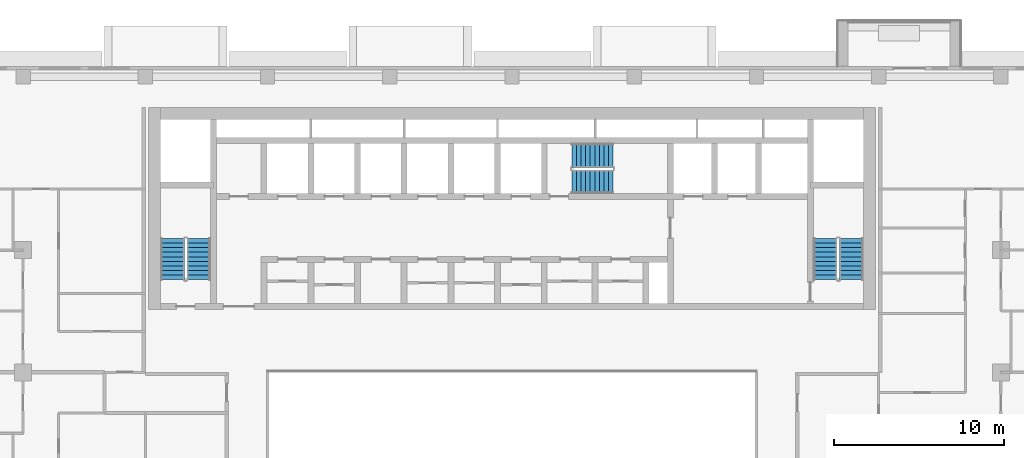
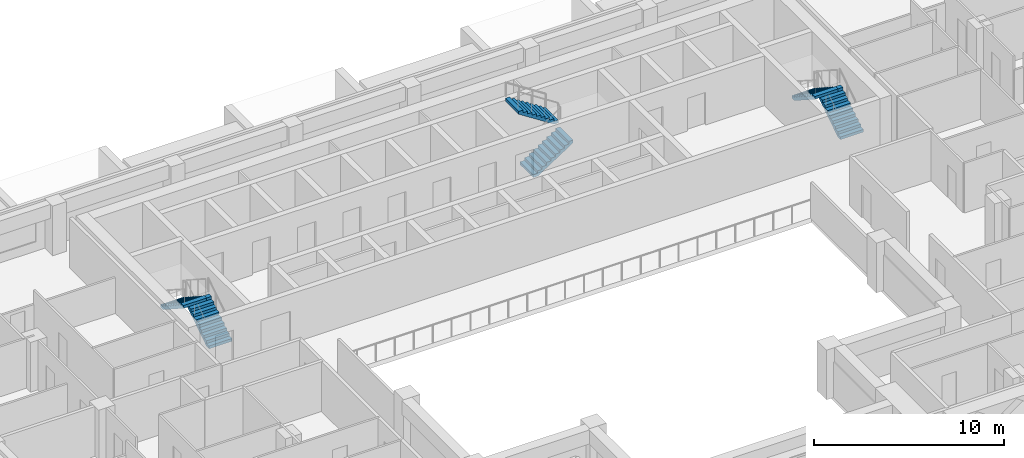
# One storey, part 13 of 20: 6 stair flights, 3 elements without a shape of their own.
"""IFC4 building model written with IfcOpenShell, lengths in metres."""

from ifc_helpers import new_model, si_unit, direction, frame, origin, place, context, subcontext, project, spatial, polyline, outline, extrude, material, layer, layer_set, type_object, element, aggregate, save


model = new_model("IFC4")

# Units and contexts
model_context = context("Model", 3, precision=1e-05, world=origin(), true_north=direction((0.0, 1.0)))
body_context = subcontext(model_context, "Body", "Model", "MODEL_VIEW")
ifc_project = project(units=[si_unit("LENGTHUNIT", "METRE"), si_unit("AREAUNIT", "SQUARE_METRE"), si_unit("VOLUMEUNIT", "CUBIC_METRE"), si_unit("PLANEANGLEUNIT", "RADIAN"), si_unit("MASSUNIT", "GRAM", prefix="KILO")], contexts=[model_context])

# Site, building, storey
site_placement = place(None, origin())
site = spatial("IfcSite", under=ifc_project, at=site_placement, CompositionType="ELEMENT")
building_placement = place(site_placement, origin())
building = spatial("IfcBuilding", under=site, at=building_placement, Name="Saffron Iwan Residences", CompositionType="ELEMENT")
storey_placement = place(building_placement, frame((0.0, 0.0, 143.0)))
storey = spatial("IfcBuildingStorey", under=building, at=storey_placement, Name="L37", CompositionType="ELEMENT", Elevation=143.0)

# Stair, stair flights
ifc_material = material(Name="Concrete C50/60", Category="concrete")
stair_type = type_object("IfcStairType", Name="Stair ST-CORE", PredefinedType="HALF_TURN_STAIR", material=ifc_material)
stair_1_placement = place(storey_placement, origin())
stair_1 = element("IfcStair", 1, at=stair_1_placement, inside=storey, type_object=stair_type, Name="L37 Exit Stair ST-W", PredefinedType="HALF_TURN_STAIR")
ifc_layer = layer(ifc_material, 0.14990234375)
ifc_layer_set = layer_set([ifc_layer], Name="Concrete C50/60")
stair_flight_type = type_object("IfcStairFlightType", Name="Stair flight SFL-RC", PredefinedType="STRAIGHT", material=ifc_layer_set)
stair_flight_1_placement = place(storey_placement, frame((31.949951171875, 67.85009765625, 0.0), z_axis=(0.0, 0.0, 1.0), x_axis=(0.0, 1.0, 0.0)))
stair_flight_1 = element("IfcStairFlight", 2, at=stair_flight_1_placement, type_object=stair_flight_type, Name="ST-W flight 1", NumberOfRisers=10, NumberOfTreads=9, PredefinedType="STRAIGHT", RiserHeight=0.175, TreadLength=0.27, context=body_context, shape_type="SweptSolid", body=[
    extrude(outline(polyline([(0.0, 0.0), (0.0, 0.175048828125), (0.27001953125, 0.175048828125), (0.27001953125, 0.35009765625), (0.5400390625, 0.35009765625), (0.5400390625, 0.52490234375), (0.81005859375, 0.52490234375), (0.81005859375, 0.699951171875), (1.080078125, 0.699951171875), (1.080078125, 0.875), (1.35009765625, 0.875), (1.35009765625, 1.050048828125), (1.6201171875, 1.050048828125), (1.6201171875, 1.22509765625), (1.889892578125, 1.22509765625), (1.889892578125, 1.39990234375), (2.159912109375, 1.39990234375), (2.159912109375, 1.574951171875), (2.429931640625, 1.574951171875), (2.429931640625, 1.75), (2.429931640625, 1.396484375), (0.275634765625, 0.0), (0.0, 0.0)])), frame((0.0, 0.699951171875, 0.0), z_axis=(0.0, -1.0, 0.0), x_axis=(1.0, 0.0, 0.0)), (0.0, 0.0, 1.0), 1.39990234375),
])
stair_flight_2_placement = place(storey_placement, frame((30.39990234375, 70.280029296875, 1.75), z_axis=(0.0, 0.0, 1.0), x_axis=(0.0, -1.0, 0.0)))
stair_flight_2 = element("IfcStairFlight", 3, at=stair_flight_2_placement, type_object=stair_flight_type, Name="ST-W flight 2", NumberOfRisers=10, NumberOfTreads=9, PredefinedType="STRAIGHT", RiserHeight=0.175, TreadLength=0.27, context=body_context, shape_type="SweptSolid", body=[
    extrude(outline(polyline([(0.0, 0.0), (0.0, 0.175048828125), (0.27001953125, 0.175048828125), (0.27001953125, 0.35009765625), (0.5400390625, 0.35009765625), (0.5400390625, 0.52490234375), (0.81005859375, 0.52490234375), (0.81005859375, 0.699951171875), (1.080078125, 0.699951171875), (1.080078125, 0.875), (1.35009765625, 0.875), (1.35009765625, 1.050048828125), (1.6201171875, 1.050048828125), (1.6201171875, 1.22509765625), (1.889892578125, 1.22509765625), (1.889892578125, 1.39990234375), (2.159912109375, 1.39990234375), (2.159912109375, 1.574951171875), (2.429931640625, 1.574951171875), (2.429931640625, 1.75), (2.429931640625, 1.396484375), (0.275634765625, 0.0), (0.0, 0.0)])), frame((0.0, 0.699951171875, 0.0), z_axis=(0.0, -1.0, 0.0), x_axis=(1.0, 0.0, 0.0)), (0.0, 0.0, 1.0), 1.39990234375),
])
aggregate(stair_1, [stair_flight_1, stair_flight_2])

stair_2_placement = place(storey_placement, origin())
stair_2 = element("IfcStair", 4, at=stair_2_placement, inside=storey, type_object=stair_type, Name="L37 Exit Stair ST-C", PredefinedType="HALF_TURN_STAIR")
stair_flight_3_placement = place(storey_placement, frame((53.925048828125, 73.625, 0.0), z_axis=(0.0, 0.0, 1.0), x_axis=(1.0, 0.0, 0.0)))
stair_flight_3 = element("IfcStairFlight", 5, at=stair_flight_3_placement, type_object=stair_flight_type, Name="ST-C flight 1", NumberOfRisers=10, NumberOfTreads=9, PredefinedType="STRAIGHT", RiserHeight=0.175, TreadLength=0.27, context=body_context, shape_type="SweptSolid", body=[
    extrude(outline(polyline([(0.0, 0.0), (0.0, 0.175048828125), (0.27001953125, 0.175048828125), (0.27001953125, 0.35009765625), (0.5400390625, 0.35009765625), (0.5400390625, 0.52490234375), (0.81005859375, 0.52490234375), (0.81005859375, 0.699951171875), (1.080078125, 0.699951171875), (1.080078125, 0.875), (1.35009765625, 0.875), (1.35009765625, 1.050048828125), (1.6201171875, 1.050048828125), (1.6201171875, 1.22509765625), (1.889892578125, 1.22509765625), (1.889892578125, 1.39990234375), (2.159912109375, 1.39990234375), (2.159912109375, 1.574951171875), (2.429931640625, 1.574951171875), (2.429931640625, 1.75), (2.429931640625, 1.396484375), (0.275634765625, 0.0), (0.0, 0.0)])), frame((0.0, 0.699951171875, 0.0), z_axis=(0.0, -1.0, 0.0), x_axis=(1.0, 0.0, 0.0)), (0.0, 0.0, 1.0), 1.39990234375),
])
stair_flight_4_placement = place(storey_placement, frame((56.35498046875, 75.175048828125, 1.75), z_axis=(0.0, 0.0, 1.0), x_axis=(-1.0, 0.0, 0.0)))
stair_flight_4 = element("IfcStairFlight", 6, at=stair_flight_4_placement, type_object=stair_flight_type, Name="ST-C flight 2", NumberOfRisers=10, NumberOfTreads=9, PredefinedType="STRAIGHT", RiserHeight=0.175, TreadLength=0.27, context=body_context, shape_type="SweptSolid", body=[
    extrude(outline(polyline([(0.0, 0.0), (0.0, 0.175048828125), (0.27001953125, 0.175048828125), (0.27001953125, 0.35009765625), (0.5400390625, 0.35009765625), (0.5400390625, 0.52490234375), (0.81005859375, 0.52490234375), (0.81005859375, 0.699951171875), (1.080078125, 0.699951171875), (1.080078125, 0.875), (1.35009765625, 0.875), (1.35009765625, 1.050048828125), (1.6201171875, 1.050048828125), (1.6201171875, 1.22509765625), (1.889892578125, 1.22509765625), (1.889892578125, 1.39990234375), (2.159912109375, 1.39990234375), (2.159912109375, 1.574951171875), (2.429931640625, 1.574951171875), (2.429931640625, 1.75), (2.429931640625, 1.396484375), (0.275634765625, 0.0), (0.0, 0.0)])), frame((0.0, 0.699951171875, 0.0), z_axis=(0.0, -1.0, 0.0), x_axis=(1.0, 0.0, 0.0)), (0.0, 0.0, 1.0), 1.39990234375),
])
aggregate(stair_2, [stair_flight_3, stair_flight_4])

stair_3_placement = place(storey_placement, origin())
stair_3 = element("IfcStair", 7, at=stair_3_placement, inside=storey, type_object=stair_type, Name="L37 Exit Stair ST-E", PredefinedType="HALF_TURN_STAIR")
stair_flight_5_placement = place(storey_placement, frame((70.39990234375, 67.85009765625, 0.0), z_axis=(0.0, 0.0, 1.0), x_axis=(0.0, 1.0, 0.0)))
stair_flight_5 = element("IfcStairFlight", 8, at=stair_flight_5_placement, type_object=stair_flight_type, Name="ST-E flight 1", NumberOfRisers=10, NumberOfTreads=9, PredefinedType="STRAIGHT", RiserHeight=0.175, TreadLength=0.27, context=body_context, shape_type="SweptSolid", body=[
    extrude(outline(polyline([(0.0, 0.0), (0.0, 0.175048828125), (0.27001953125, 0.175048828125), (0.27001953125, 0.35009765625), (0.5400390625, 0.35009765625), (0.5400390625, 0.52490234375), (0.81005859375, 0.52490234375), (0.81005859375, 0.699951171875), (1.080078125, 0.699951171875), (1.080078125, 0.875), (1.35009765625, 0.875), (1.35009765625, 1.050048828125), (1.6201171875, 1.050048828125), (1.6201171875, 1.22509765625), (1.889892578125, 1.22509765625), (1.889892578125, 1.39990234375), (2.159912109375, 1.39990234375), (2.159912109375, 1.574951171875), (2.429931640625, 1.574951171875), (2.429931640625, 1.75), (2.429931640625, 1.396484375), (0.275634765625, 0.0), (0.0, 0.0)])), frame((0.0, 0.699951171875, 0.0), z_axis=(0.0, -1.0, 0.0), x_axis=(1.0, 0.0, 0.0)), (0.0, 0.0, 1.0), 1.39990234375),
])
stair_flight_6_placement = place(storey_placement, frame((68.85009765625, 70.280029296875, 1.75), z_axis=(0.0, 0.0, 1.0), x_axis=(0.0, -1.0, 0.0)))
stair_flight_6 = element("IfcStairFlight", 9, at=stair_flight_6_placement, type_object=stair_flight_type, Name="ST-E flight 2", NumberOfRisers=10, NumberOfTreads=9, PredefinedType="STRAIGHT", RiserHeight=0.175, TreadLength=0.27, context=body_context, shape_type="SweptSolid", body=[
    extrude(outline(polyline([(0.0, 0.0), (0.0, 0.175048828125), (0.27001953125, 0.175048828125), (0.27001953125, 0.35009765625), (0.5400390625, 0.35009765625), (0.5400390625, 0.52490234375), (0.81005859375, 0.52490234375), (0.81005859375, 0.699951171875), (1.080078125, 0.699951171875), (1.080078125, 0.875), (1.35009765625, 0.875), (1.35009765625, 1.050048828125), (1.6201171875, 1.050048828125), (1.6201171875, 1.22509765625), (1.889892578125, 1.22509765625), (1.889892578125, 1.39990234375), (2.159912109375, 1.39990234375), (2.159912109375, 1.574951171875), (2.429931640625, 1.574951171875), (2.429931640625, 1.75), (2.429931640625, 1.396484375), (0.275634765625, 0.0), (0.0, 0.0)])), frame((0.0, 0.699951171875, 0.0), z_axis=(0.0, -1.0, 0.0), x_axis=(1.0, 0.0, 0.0)), (0.0, 0.0, 1.0), 1.39990234375),
])
aggregate(stair_3, [stair_flight_5, stair_flight_6])

save(model, "model.ifc")
